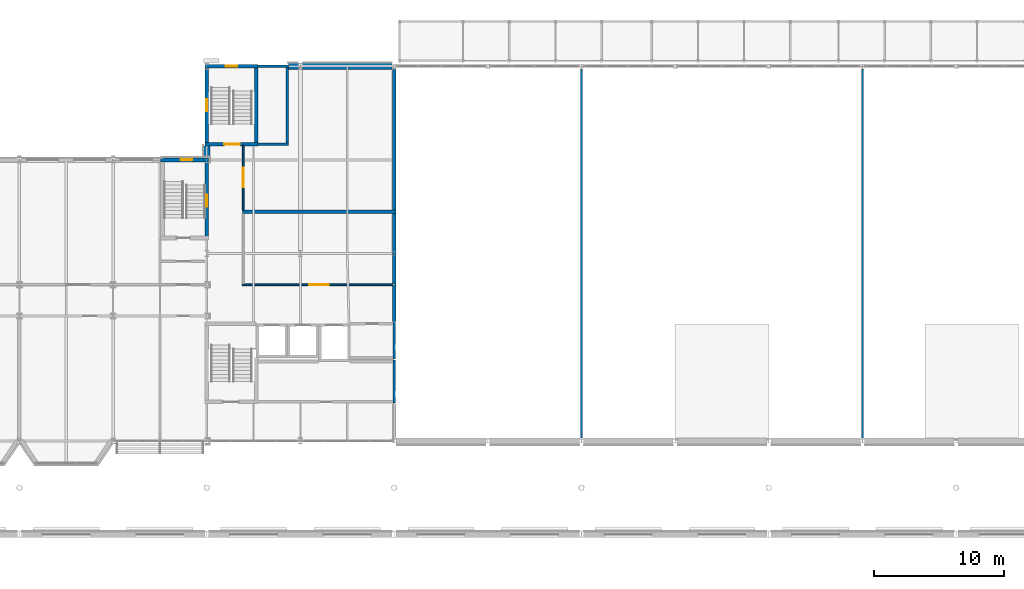
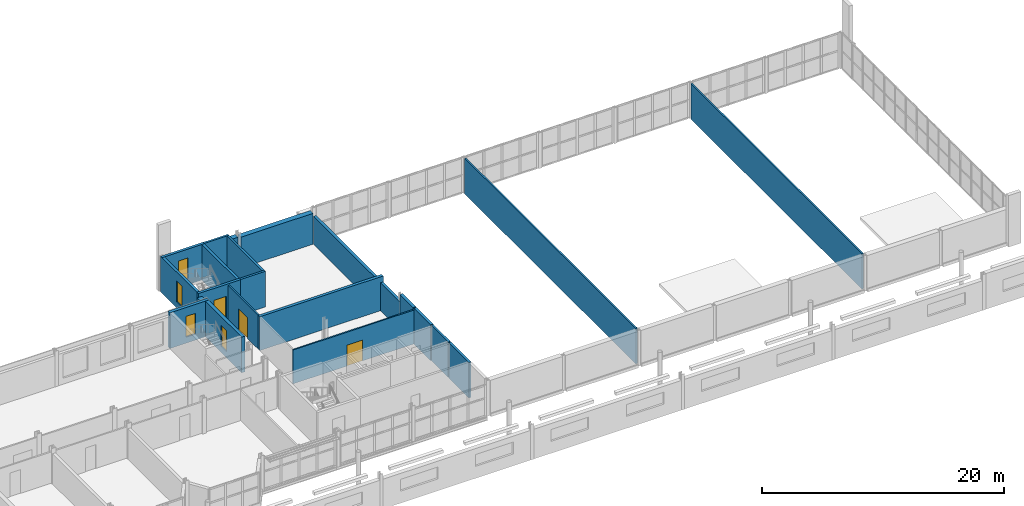
# One storey, part 79 of 124: 23 walls, 4 windows, 3 doors, 7 openings.
"""IFC4 building model written with IfcOpenShell, lengths in metres."""

import ifcopenshell
import ifcopenshell.guid

model = None  # the IFC model being written
_history = None  # IfcOwnerHistory: only IFC2X3 demands one
_inside = {}  # id of a spatial element -> (the spatial element, [elements in it])
_under = {}  # id of a project, library or spatial element -> (it, [spatial elements below it])
_declared = {}  # id of a project -> (the project, [libraries it declares])
_typed = {}  # id of a type object -> (the type object, [elements of that type])
_made_of = {}  # id of a material, layer set ... -> (it, [elements and type objects made of it])


def new_model(schema):
    """Start an empty IFC model of exactly this schema.

    Asked for "IFC4X3", IfcOpenShell would pick the latest addendum, in which some entities
    have other attributes; the version numbers below select the first issue.
    IFC2X3 requires an IfcOwnerHistory on every rooted entity: one is made here for all.
    """
    global model, _history
    if schema == "IFC4X3":
        model = ifcopenshell.file(schema_version=(4, 3, 0, 0))
    else:
        model = ifcopenshell.file(schema=schema)
    _inside.clear()
    _under.clear()
    _declared.clear()
    _typed.clear()
    _made_of.clear()
    _history = None
    if model.schema == "IFC2X3":
        org = make("IfcOrganization", Name="unknown")
        user = make(
            "IfcPersonAndOrganization",
            ThePerson=make("IfcPerson", FamilyName="unknown"),
            TheOrganization=org,
        )
        app = make(
            "IfcApplication",
            ApplicationDeveloper=org,
            Version="unknown",
            ApplicationFullName="unknown",
            ApplicationIdentifier="unknown",
        )
        _history = make(
            "IfcOwnerHistory",
            OwningUser=user,
            OwningApplication=app,
            ChangeAction="ADDED",
            CreationDate=0,
        )
    return model


def make(cls, **values):
    """One entity of the class cls with the attributes given. An attribute that is None is left unset."""
    return model.create_entity(
        cls, **{name: value for name, value in values.items() if value is not None}
    )


def rooted(cls, **values):
    """An entity with a GlobalId (a new one), such as an element, a storey or a relation."""
    return make(cls, GlobalId=ifcopenshell.guid.new(), OwnerHistory=_history, **values)


def si_unit(unit_type, name, prefix=None):
    """IfcSIUnit, for example si_unit("LENGTHUNIT", "METRE", prefix="MILLI")."""
    return make("IfcSIUnit", UnitType=unit_type, Prefix=prefix, Name=name)


def assignment(units):
    """IfcUnitAssignment: the units of a project."""
    return None if units is None else make("IfcUnitAssignment", Units=units)


def point(xyz):
    """IfcCartesianPoint."""
    return None if xyz is None else make("IfcCartesianPoint", Coordinates=xyz)


def direction(xyz):
    """IfcDirection."""
    return None if xyz is None else make("IfcDirection", DirectionRatios=xyz)


def frame(location, z_axis=None, x_axis=None):
    """IfcAxis2Placement3D, a coordinate frame: its origin and axes. An axis left out is left unset."""
    return make(
        "IfcAxis2Placement3D",
        Location=point(location),
        Axis=direction(z_axis),
        RefDirection=direction(x_axis),
    )


def frame_2d(location, x_axis=None):
    """IfcAxis2Placement2D, a coordinate frame in the plane: its origin and x axis."""
    return make(
        "IfcAxis2Placement2D", Location=point(location), RefDirection=direction(x_axis)
    )


def origin():
    """The frame at (0, 0, 0) with its axes left unset."""
    return frame((0.0, 0.0, 0.0))


def place(relative_to, where):
    """IfcLocalPlacement: puts the frame where relative to a parent placement (None: the world)."""
    return make(
        "IfcLocalPlacement", PlacementRelTo=relative_to, RelativePlacement=where
    )


def context(
    kind, dimensions, precision=None, world=None, true_north=None, identifier=None
):
    """IfcGeometricRepresentationContext, for example the 3D "Model" context."""
    return make(
        "IfcGeometricRepresentationContext",
        ContextIdentifier=identifier,
        ContextType=kind,
        CoordinateSpaceDimension=dimensions,
        Precision=precision,
        WorldCoordinateSystem=world,
        TrueNorth=true_north,
    )


def subcontext(parent, identifier, kind, view, scale=None):
    """IfcGeometricRepresentationSubContext, for example "Body" below "Model"."""
    return make(
        "IfcGeometricRepresentationSubContext",
        ContextIdentifier=identifier,
        ContextType=kind,
        ParentContext=parent,
        TargetScale=scale,
        TargetView=view,
    )


def project(units=None, contexts=None):
    """IfcProject with its units and contexts."""
    return rooted(
        "IfcProject",
        Name="project",
        RepresentationContexts=contexts,
        UnitsInContext=assignment(units),
    )


def spatial(cls, under=None, at=None, **own):
    """A site, building, storey or space (cls), placed at a placement, below another one or the project."""
    s = rooted(cls, ObjectPlacement=at, **own)
    if under is not None:
        _under.setdefault(under.id(), (under, []))[1].append(s)
    return s


def profile(cls, at=None, kind="AREA", **sizes):
    """A parametric profile (cls). Its sizes go by their IFC names, for example OverallWidth=200.0."""
    return make(cls, ProfileType=kind, Position=at, **sizes)


def rectangle(**sizes):
    """IfcRectangleProfileDef."""
    return profile("IfcRectangleProfileDef", **sizes)


def extrude(swept, where, along, depth):
    """IfcExtrudedAreaSolid: the profile swept, set in the frame where, extruded along a direction by depth."""
    return make(
        "IfcExtrudedAreaSolid",
        SweptArea=swept,
        Position=where,
        ExtrudedDirection=direction(along),
        Depth=depth,
    )


def shape(context_of_items, identifier, shape_type, items):
    """IfcShapeRepresentation: the items that make up one representation, for example the "Body"."""
    return make(
        "IfcShapeRepresentation",
        ContextOfItems=context_of_items,
        RepresentationIdentifier=identifier,
        RepresentationType=shape_type,
        Items=items,
    )


def material(Name=None, Category=None):
    """IfcMaterial."""
    return make("IfcMaterial", Name=Name, Category=Category)


def layer(
    of_material, thickness, ventilated=None, Name=None, Category=None, Priority=None
):
    """IfcMaterialLayer: one layer of a wall or slab, of a material (None: an air gap)."""
    return make(
        "IfcMaterialLayer",
        Material=of_material,
        LayerThickness=thickness,
        IsVentilated=ventilated,
        Name=Name,
        Category=Category,
        Priority=Priority,
    )


def layer_set(layers, Name=None):
    """IfcMaterialLayerSet."""
    return make("IfcMaterialLayerSet", MaterialLayers=layers, LayerSetName=Name)


def made_of(thing, what):
    """Note that an element or type object is made of a material, layer set ...; save() writes the relation."""
    if what is not None:
        _made_of.setdefault(what.id(), (what, []))[1].append(thing)
    return thing


def type_object(cls, material=None, **own):
    """A type object (cls), such as IfcWallType, which elements share."""
    return made_of(rooted(cls, **own), material)


def element(
    cls,
    number,
    at=None,
    inside=None,
    cuts=None,
    type_object=None,
    material=None,
    context=None,
    identifier="Body",
    shape_type=None,
    held_by="IfcProductDefinitionShape",
    body=None,
    shapes=None,
    **own,
):
    """One element of the class cls, such as IfcWall. Its Tag is "e" and its number.

    at: its placement. inside: the storey or other place that contains it. cuts: it is an
    opening in that element (IfcRelVoidsElement). A single representation is given by context,
    identifier, shape_type and body (its items); several are given by shapes. held_by: the class
    of the entity that holds the representations. save() writes the other relations.
    """
    e = rooted(cls, Tag="e%d" % number, ObjectPlacement=at, **own)
    if body is not None:
        shapes = [shape(context, identifier, shape_type, body)]
    if shapes is not None:
        e.Representation = make(held_by, Representations=shapes)
    if inside is not None:
        _inside.setdefault(inside.id(), (inside, []))[1].append(e)
    if cuts is not None:
        rooted(
            "IfcRelVoidsElement", RelatingBuildingElement=cuts, RelatedOpeningElement=e
        )
    if type_object is not None:
        _typed.setdefault(type_object.id(), (type_object, []))[1].append(e)
    return made_of(e, material)


def fill(opening, filler):
    """IfcRelFillsElement: the door or window that sits in an opening."""
    return rooted(
        "IfcRelFillsElement",
        RelatingOpeningElement=opening,
        RelatedBuildingElement=filler,
    )


def aggregate(whole, parts):
    """IfcRelAggregates: a whole, such as a stair, and the parts it consists of."""
    return rooted("IfcRelAggregates", RelatingObject=whole, RelatedObjects=parts)


def save(model, path):
    """Write the relations noted so far, then the file.

    IfcRelAggregates (storeys below a building ...), IfcRelContainedInSpatialStructure (elements
    in a storey), IfcRelDefinesByType, IfcRelAssociatesMaterial and IfcRelDeclares: one each for
    every whole, place, type object, material and project.
    """
    for whole, parts in _under.values():
        aggregate(whole, parts)
    for where, things in _inside.values():
        rooted(
            "IfcRelContainedInSpatialStructure",
            RelatedElements=things,
            RelatingStructure=where,
        )
    for kind, things in _typed.values():
        rooted("IfcRelDefinesByType", RelatedObjects=things, RelatingType=kind)
    for what, things in _made_of.values():
        rooted("IfcRelAssociatesMaterial", RelatedObjects=things, RelatingMaterial=what)
    for by, libraries in _declared.values():
        rooted("IfcRelDeclares", RelatingContext=by, RelatedDefinitions=libraries)
    model.write(path)


model = new_model("IFC4")

# Units and contexts
model_context = context("Model", 3, precision=1e-05, world=origin(), true_north=direction((0.0, 1.0)))
body_context = subcontext(model_context, "Body", "Model", "MODEL_VIEW")
ifc_project = project(units=[si_unit("LENGTHUNIT", "METRE"), si_unit("AREAUNIT", "SQUARE_METRE"), si_unit("VOLUMEUNIT", "CUBIC_METRE"), si_unit("PLANEANGLEUNIT", "RADIAN"), si_unit("MASSUNIT", "GRAM", prefix="KILO")], contexts=[model_context])

# Site, building, storey
site_placement = place(None, origin())
site = spatial("IfcSite", under=ifc_project, at=site_placement, CompositionType="ELEMENT")
building_placement = place(site_placement, origin())
building = spatial("IfcBuilding", under=site, at=building_placement, Name="Kupolbacken Congress Centre", CompositionType="ELEMENT")
storey_placement = place(building_placement, frame((0.0, 0.0, 10.800048828125)))
storey = spatial("IfcBuildingStorey", under=building, at=storey_placement, Name="L03", CompositionType="ELEMENT", Elevation=10.800048828125)

# Walls
ifc_material_1 = material(Name="Limestone", Category="masonry")
ifc_layer_1 = layer(ifc_material_1, 0.14990234375)
ifc_material_2 = material(Name="Air cavity", Category="air")
ifc_layer_2 = layer(ifc_material_2, 0.0400390625, ventilated=True)
ifc_material_3 = material(Name="Mineral wool", Category="insulation")
ifc_layer_3 = layer(ifc_material_3, 0.169921875)
ifc_material_4 = material(Name="Concrete block", Category="masonry")
ifc_layer_4 = layer(ifc_material_4, 0.1201171875)
ifc_layer_set_1 = layer_set([ifc_layer_1, ifc_layer_2, ifc_layer_3, ifc_layer_4], Name="Limestone / Mineral wool / Concrete block")
wall_type_1 = type_object("IfcWallType", Name="EW07 external cavity wall 480", PredefinedType="SOLIDWALL", material=ifc_layer_set_1)
wall_1_placement = place(storey_placement, frame((151.050048828125, 151.199951171875, 0.0), z_axis=(0.0, 0.0, 1.0), x_axis=(-1.0, 0.0, 0.0)))
element("IfcWall", 1, at=wall_1_placement, inside=storey, type_object=wall_type_1, Name="E/BF/N/L03/315", PredefinedType="SOLIDWALL", context=body_context, shape_type="SweptSolid", body=[
    extrude(rectangle(XDim=6.900146484375, YDim=0.47998046875, at=frame_2d((3.4501953125, 0.0))), origin(), (0.0, 0.0, 1.0), 3.119873046875),
])
wall_2_placement = place(storey_placement, frame((143.85009765625, 151.199951171875, 0.0), z_axis=(0.0, 0.0, 1.0), x_axis=(-1.0, 0.0, 0.0)))
element("IfcWall", 2, at=wall_2_placement, inside=storey, type_object=wall_type_1, Name="E/BF/N/L03/316", PredefinedType="SOLIDWALL", context=body_context, shape_type="SweptSolid", body=[
    extrude(rectangle(XDim=0.75, YDim=0.47998046875, at=frame_2d((0.375, 0.0))), origin(), (0.0, 0.0, 1.0), 3.219970703125),
])
wall_3_placement = place(storey_placement, frame((136.800048828125, 145.074951171875, 0.0), z_axis=(0.0, 0.0, 1.0), x_axis=(0.0, -1.0, 0.0)))
element("IfcWall", 3, at=wall_3_placement, inside=storey, type_object=wall_type_1, Name="E/BF/W/L03/322", PredefinedType="SOLIDWALL", context=body_context, shape_type="SweptSolid", body=[
    extrude(rectangle(XDim=0.849853515625, YDim=0.47998046875, at=frame_2d((0.4248046875, 0.0))), origin(), (0.0, 0.0, 1.0), 3.219970703125),
])
ifc_material_5 = material(Name="Operable acoustic wall panels", Category="metal")
ifc_layer_5 = layer(ifc_material_5, 0.14501953125)
ifc_layer_set_2 = layer_set([ifc_layer_5], Name="Operable acoustic wall panels")
wall_type_2 = type_object("IfcWallType", Name="MP3 movable partition 145", PredefinedType="MOVABLE", material=ifc_layer_set_2)
for number, where, z_axis, x_axis, name in (
    (4, (165.60009765625, 122.639892578125, 0.0), (0.0, 0.0, 1.0), (0.0, 1.0, 0.0), "PD/L03/MP/166"),
    (5, (187.199951171875, 122.639892578125, 0.0), (0.0, 0.0, 1.0), (0.0, 1.0, 0.0), "PD/L03/MP/187"),
):
    element("IfcWall", number, at=place(storey_placement, frame(where, z_axis=z_axis, x_axis=x_axis)), inside=storey, type_object=wall_type_2, Name=name, PredefinedType="MOVABLE", context=body_context, shape_type="SweptSolid", body=[
        extrude(rectangle(XDim=28.320068359375, YDim=0.14501953125, at=frame_2d((14.16015625, 0.0))), origin(), (0.0, 0.0, 1.0), 3.599853515625),
    ])

# Wall, opening, door
ifc_material_6 = material(Name="Gypsum board", Category="drywall")
ifc_layer_6 = layer(ifc_material_6, 0.135009765625)
ifc_layer_set_3 = layer_set([ifc_layer_6], Name="Gypsum board")
wall_type_3 = type_object("IfcWallType", Name="P06 compartment wall 135", PredefinedType="PARTITIONING", material=ifc_layer_set_3)
wall_4_placement = place(storey_placement, frame((139.532470703125, 134.39990234375, 0.0), z_axis=(0.0, 0.0, 1.0), x_axis=(1.0, 0.0, 0.0)))
wall_4 = element("IfcWall", 6, at=wall_4_placement, inside=storey, type_object=wall_type_3, Name="PD/L03/W116", PredefinedType="PARTITIONING", context=body_context, shape_type="SweptSolid", body=[
    extrude(rectangle(XDim=11.804931640625, YDim=0.135009765625, at=frame_2d((5.90234375, 0.0))), origin(), (0.0, 0.0, 1.0), 3.419921875),
])
opening_1_placement = place(wall_4_placement, frame((5.14990234375, 0.0, 0.0)))
opening_1 = element("IfcOpeningElement", 7, at=opening_1_placement, cuts=wall_4, Name="Opening 3.G05", PredefinedType="OPENING", context=body_context, shape_type="SweptSolid", body=[
    extrude(rectangle(XDim=1.5, YDim=2.10009765625, at=frame_2d((0.75, 1.050048828125))), frame((0.0, 0.077392578125, 0.0), z_axis=(0.0, -1.0, 0.0), x_axis=(1.0, 0.0, 0.0)), (0.0, 0.0, 1.0), 0.155029296875),
])
ifc_material_7 = material(Name="Steel fire door leaf", Category="steel")
door_type_1 = type_object("IfcDoorType", Name="D12 fire door 1500x2100", OperationType="DOUBLE_DOOR_SINGLE_SWING", PredefinedType="DOOR", material=ifc_material_7)
door_1_placement = place(opening_1_placement, frame((1.5, 0.0, 0.0), z_axis=(0.0, 0.0, 1.0), x_axis=(-1.0, 0.0, 0.0)))
door_1 = element("IfcDoor", 8, at=door_1_placement, inside=storey, type_object=door_type_1, Name="PD/L03/W116/D3G05", OperationType="DOUBLE_DOOR_SINGLE_SWING", OverallHeight=2.10009765625, OverallWidth=1.5, PredefinedType="DOOR", context=body_context, shape_type="SweptSolid", body=[
    extrude(rectangle(XDim=1.5, YDim=2.10009765625, at=frame_2d((0.75, 1.050048828125))), frame((0.0, 0.02490234375, 0.0), z_axis=(0.0, -1.0, 0.0), x_axis=(1.0, 0.0, 0.0)), (0.0, 0.0, 1.0), 0.050048828125),
])
fill(opening_1, door_1)

wall_5_placement = place(storey_placement, frame((139.60009765625, 145.139892578125, 0.0), z_axis=(0.0, 0.0, 1.0), x_axis=(0.0, -1.0, 0.0)))
wall_5 = element("IfcWall", 9, at=wall_5_placement, inside=storey, type_object=wall_type_3, Name="PD/L03/W119", PredefinedType="PARTITIONING", context=body_context, shape_type="SweptSolid", body=[
    extrude(rectangle(XDim=5.00244140625, YDim=0.135009765625, at=frame_2d((2.501220703125, 0.0))), origin(), (0.0, 0.0, 1.0), 3.419921875),
])
opening_2_placement = place(wall_5_placement, frame((1.75, 0.0, 0.0)))
opening_2 = element("IfcOpeningElement", 10, at=opening_2_placement, cuts=wall_5, Name="Opening 3.G06", PredefinedType="OPENING", context=body_context, shape_type="SweptSolid", body=[
    extrude(rectangle(XDim=1.5, YDim=2.10009765625, at=frame_2d((0.75, 1.050048828125))), frame((0.0, 0.077392578125, 0.0), z_axis=(0.0, -1.0, 0.0), x_axis=(1.0, 0.0, 0.0)), (0.0, 0.0, 1.0), 0.155029296875),
])
door_2_placement = place(opening_2_placement, frame((1.5, 0.0, 0.0), z_axis=(0.0, 0.0, 1.0), x_axis=(-1.0, 0.0, 0.0)))
door_2 = element("IfcDoor", 11, at=door_2_placement, inside=storey, type_object=door_type_1, Name="PD/L03/W119/D3G06", OperationType="DOUBLE_DOOR_SINGLE_SWING", OverallHeight=2.10009765625, OverallWidth=1.5, PredefinedType="DOOR", context=body_context, shape_type="SweptSolid", body=[
    extrude(rectangle(XDim=1.5, YDim=2.10009765625, at=frame_2d((0.75, 1.050048828125))), frame((0.0, 0.02490234375, 0.0), z_axis=(0.0, -1.0, 0.0), x_axis=(1.0, 0.0, 0.0)), (0.0, 0.0, 1.0), 0.050048828125),
])
fill(opening_2, door_2)

# Walls
ifc_material_8 = material(Name="Gypsum board", Category="drywall")
ifc_layer_7 = layer(ifc_material_8, 0.27490234375)
ifc_layer_set_4 = layer_set([ifc_layer_7], Name="Gypsum board")
wall_type_4 = type_object("IfcWallType", Name="P12 partition 275", PredefinedType="PARTITIONING", material=ifc_layer_set_4)
wall_6_placement = place(storey_placement, frame((151.199951171875, 134.33251953125, 0.0), z_axis=(0.0, 0.0, 1.0), x_axis=(0.0, -1.0, 0.0)))
element("IfcWall", 12, at=wall_6_placement, inside=storey, type_object=wall_type_4, Name="PD/L03/W117", PredefinedType="PARTITIONING", context=body_context, shape_type="SweptSolid", body=[
    extrude(rectangle(XDim=2.7724609375, YDim=0.27490234375, at=frame_2d((1.38623046875, 0.0))), origin(), (0.0, 0.0, 1.0), 3.599853515625),
])
wall_7_placement = place(storey_placement, frame((139.532470703125, 140.0, 0.0), z_axis=(0.0, 0.0, 1.0), x_axis=(1.0, 0.0, 0.0)))
element("IfcWall", 13, at=wall_7_placement, inside=storey, type_object=wall_type_4, Name="PD/L03/W120", PredefinedType="PARTITIONING", context=body_context, shape_type="SweptSolid", body=[
    extrude(rectangle(XDim=11.804931640625, YDim=0.27490234375, at=frame_2d((5.90234375, 0.0))), origin(), (0.0, 0.0, 1.0), 3.419921875),
])
wall_8_placement = place(storey_placement, frame((151.199951171875, 139.862548828125, 0.0), z_axis=(0.0, 0.0, 1.0), x_axis=(0.0, -1.0, 0.0)))
element("IfcWall", 14, at=wall_8_placement, inside=storey, type_object=wall_type_4, Name="PD/L03/W121", PredefinedType="PARTITIONING", context=body_context, shape_type="SweptSolid", body=[
    extrude(rectangle(XDim=3.212646484375, YDim=0.27490234375, at=frame_2d((1.6064453125, 0.0))), origin(), (0.0, 0.0, 1.0), 2.820068359375),
])
wall_9_placement = place(storey_placement, frame((151.199951171875, 150.9599609375, 0.0), z_axis=(0.0, 0.0, 1.0), x_axis=(0.0, -1.0, 0.0)))
element("IfcWall", 15, at=wall_9_placement, inside=storey, type_object=wall_type_4, Name="PD/L03/W122", PredefinedType="PARTITIONING", context=body_context, shape_type="SweptSolid", body=[
    extrude(rectangle(XDim=10.822509765625, YDim=0.27490234375, at=frame_2d((5.4111328125, 0.0))), origin(), (0.0, 0.0, 1.0), 2.820068359375),
])
wall_10_placement = place(storey_placement, frame((151.199951171875, 136.64990234375, 0.0), z_axis=(0.0, 0.0, 1.0), x_axis=(0.0, -1.0, 0.0)))
element("IfcWall", 16, at=wall_10_placement, inside=storey, type_object=wall_type_4, Name="PD/L03/W121.h1", PredefinedType="PARTITIONING", context=body_context, shape_type="SweptSolid", body=[
    extrude(rectangle(XDim=2.182373046875, YDim=0.27490234375, at=frame_2d((1.09130859375, 0.0))), origin(), (0.0, 0.0, 1.0), 3.599853515625),
])
ifc_material_9 = material(Name="Concrete C40/50", Category="concrete")
ifc_layer_8 = layer(ifc_material_9, 0.199951171875)
ifc_layer_set_5 = layer_set([ifc_layer_8], Name="Concrete C40/50")
wall_type_5 = type_object("IfcWallType", Name="WC1 RC shaft wall 200", PredefinedType="SHEAR", material=ifc_layer_set_5)
wall_11_placement = place(storey_placement, frame((151.199951171875, 125.300048828125, 0.0), z_axis=(0.0, 0.0, 1.0), x_axis=(0.0, 1.0, 0.0)))
element("IfcWall", 17, at=wall_11_placement, inside=storey, type_object=wall_type_5, Name="Shaft wall L03-085", PredefinedType="SHEAR", context=body_context, shape_type="SweptSolid", body=[
    extrude(rectangle(XDim=3.300048828125, YDim=0.199951171875, at=frame_2d((1.64990234375, 0.0))), origin(), (0.0, 0.0, 1.0), 3.599853515625),
])
wall_12_placement = place(storey_placement, frame((151.199951171875, 128.699951171875, 0.0), z_axis=(0.0, 0.0, 1.0), x_axis=(0.0, 1.0, 0.0)))
element("IfcWall", 18, at=wall_12_placement, inside=storey, type_object=wall_type_5, Name="Shaft wall L03-099", PredefinedType="SHEAR", context=body_context, shape_type="SweptSolid", body=[
    extrude(rectangle(XDim=2.800048828125, YDim=0.199951171875, at=frame_2d((1.39990234375, 0.0))), origin(), (0.0, 0.0, 1.0), 3.599853515625),
])
wall_13_placement = place(storey_placement, frame((140.72509765625, 145.199951171875, 0.0), z_axis=(0.0, 0.0, 1.0), x_axis=(1.0, 0.0, 0.0)))
element("IfcWall", 19, at=wall_13_placement, inside=storey, type_object=wall_type_5, Name="Shaft wall L03-133", PredefinedType="SHEAR", context=body_context, shape_type="SweptSolid", body=[
    extrude(rectangle(XDim=2.375, YDim=0.199951171875, at=frame_2d((1.1875, 0.0))), origin(), (0.0, 0.0, 1.0), 3.599853515625),
])
wall_14_placement = place(storey_placement, frame((143.0, 145.10009765625, 0.0), z_axis=(0.0, 0.0, 1.0), x_axis=(0.0, 1.0, 0.0)))
element("IfcWall", 20, at=wall_14_placement, inside=storey, type_object=wall_type_5, Name="Shaft wall L03-135", PredefinedType="SHEAR", context=body_context, shape_type="SweptSolid", body=[
    extrude(rectangle(XDim=6.199951171875, YDim=0.199951171875, at=frame_2d((3.10009765625, 0.0))), origin(), (0.0, 0.0, 1.0), 3.599853515625),
])
wall_15_placement = place(storey_placement, frame((143.10009765625, 151.199951171875, 0.0), z_axis=(0.0, 0.0, 1.0), x_axis=(-1.0, 0.0, 0.0)))
element("IfcWall", 21, at=wall_15_placement, inside=storey, type_object=wall_type_5, Name="Shaft wall L03-138", PredefinedType="SHEAR", context=body_context, shape_type="SweptSolid", body=[
    extrude(rectangle(XDim=2.375, YDim=0.199951171875, at=frame_2d((1.1875, 0.0))), origin(), (0.0, 0.0, 1.0), 3.599853515625),
])

# Wall, opening, door
ifc_material_10 = material(Name="Concrete C40/50", Category="concrete")
ifc_layer_9 = layer(ifc_material_10, 0.25)
ifc_layer_set_6 = layer_set([ifc_layer_9], Name="Concrete C40/50")
wall_type_6 = type_object("IfcWallType", Name="WC2 RC stair enclosure wall 250", PredefinedType="SHEAR", material=ifc_layer_set_6)
wall_16_placement = place(storey_placement, frame((136.675048828125, 145.199951171875, 0.0), z_axis=(0.0, 0.0, 1.0), x_axis=(1.0, 0.0, 0.0)))
wall_16 = element("IfcWall", 22, at=wall_16_placement, inside=storey, type_object=wall_type_6, Name="Stair enclosure wall L03-132", PredefinedType="SHEAR", context=body_context, shape_type="SweptSolid", body=[
    extrude(rectangle(XDim=4.050048828125, YDim=0.25, at=frame_2d((2.02490234375, 0.0))), origin(), (0.0, 0.0, 1.0), 3.599853515625),
])
opening_3_placement = place(wall_16_placement, frame((1.47509765625, 0.0, 0.0)))
opening_3 = element("IfcOpeningElement", 23, at=opening_3_placement, cuts=wall_16, Name="Opening 3.G04", PredefinedType="OPENING", context=body_context, shape_type="SweptSolid", body=[
    extrude(rectangle(XDim=1.199951171875, YDim=2.39990234375, at=frame_2d((0.60009765625, 1.199951171875))), frame((0.0, 0.135009765625, 0.0), z_axis=(0.0, -1.0, 0.0), x_axis=(1.0, 0.0, 0.0)), (0.0, 0.0, 1.0), 0.27001953125),
])
ifc_material_11 = material(Name="Steel fire door leaf", Category="steel")
door_type_2 = type_object("IfcDoorType", Name="D9 fire door 1200x2400", OperationType="SINGLE_SWING_LEFT", PredefinedType="DOOR", material=ifc_material_11)
door_3_placement = place(opening_3_placement, origin())
door_3 = element("IfcDoor", 24, at=door_3_placement, inside=storey, type_object=door_type_2, Name="S/core/L03/132/D3G04", OperationType="SINGLE_SWING_LEFT", OverallHeight=2.39990234375, OverallWidth=1.199951171875, PredefinedType="DOOR", context=body_context, shape_type="SweptSolid", body=[
    extrude(rectangle(XDim=1.199951171875, YDim=2.39990234375, at=frame_2d((0.60009765625, 1.199951171875))), frame((0.0, 0.02490234375, 0.0), z_axis=(0.0, -1.0, 0.0), x_axis=(1.0, 0.0, 0.0)), (0.0, 0.0, 1.0), 0.050048828125),
])
fill(opening_3, door_3)

# Wall
wall_17_placement = place(storey_placement, frame((140.60009765625, 145.074951171875, 0.0), z_axis=(0.0, 0.0, 1.0), x_axis=(0.0, 1.0, 0.0)))
element("IfcWall", 25, at=wall_17_placement, inside=storey, type_object=wall_type_6, Name="Stair enclosure wall L03-134", PredefinedType="SHEAR", context=body_context, shape_type="SweptSolid", body=[
    extrude(rectangle(XDim=6.25, YDim=0.25, at=frame_2d((3.125, 0.0))), origin(), (0.0, 0.0, 1.0), 3.599853515625),
])

# Wall, opening, window
wall_18_placement = place(storey_placement, frame((136.800048828125, 151.324951171875, 0.0), z_axis=(0.0, 0.0, 1.0), x_axis=(0.0, -1.0, 0.0)))
wall_18 = element("IfcWall", 26, at=wall_18_placement, inside=storey, type_object=wall_type_6, Name="Stair enclosure wall L03-136", PredefinedType="SHEAR", context=body_context, shape_type="SweptSolid", body=[
    extrude(rectangle(XDim=6.25, YDim=0.25, at=frame_2d((3.125, 0.0))), origin(), (0.0, 0.0, 1.0), 3.599853515625),
])
opening_4_placement = place(wall_18_placement, frame((2.675048828125, 0.0, 0.60009765625)))
opening_4 = element("IfcOpeningElement", 27, at=opening_4_placement, cuts=wall_18, Name="Opening W28", PredefinedType="OPENING", context=body_context, shape_type="SweptSolid", body=[
    extrude(rectangle(XDim=0.89990234375, YDim=2.10009765625, at=frame_2d((0.449951171875, 1.050048828125))), frame((0.0, 0.135009765625, 0.0), z_axis=(0.0, -1.0, 0.0), x_axis=(1.0, 0.0, 0.0)), (0.0, 0.0, 1.0), 0.27001953125),
])
ifc_material_12 = material(Name="Aluminium frame with double or triple glazing", Category="aluminium")
window_type = type_object("IfcWindowType", Name="W28 window 900x2100", PartitioningType="SINGLE_PANEL", PredefinedType="WINDOW", material=ifc_material_12)
window_1_placement = place(opening_4_placement, origin())
window_1 = element("IfcWindow", 28, at=window_1_placement, inside=storey, type_object=window_type, Name="S/core/L03/136/W1/L03", OverallHeight=2.10009765625, OverallWidth=0.89990234375, PartitioningType="SINGLE_PANEL", PredefinedType="WINDOW", context=body_context, shape_type="SweptSolid", body=[
    extrude(rectangle(XDim=0.89990234375, YDim=2.10009765625, at=frame_2d((0.449951171875, 1.050048828125))), frame((0.0, 0.030029296875, 0.0), z_axis=(0.0, -1.0, 0.0), x_axis=(1.0, 0.0, 0.0)), (0.0, 0.0, 1.0), 0.06005859375),
])
fill(opening_4, window_1)

wall_19_placement = place(storey_placement, frame((140.72509765625, 151.199951171875, 0.0), z_axis=(0.0, 0.0, 1.0), x_axis=(-1.0, 0.0, 0.0)))
wall_19 = element("IfcWall", 29, at=wall_19_placement, inside=storey, type_object=wall_type_6, Name="Stair enclosure wall L03-137", PredefinedType="SHEAR", context=body_context, shape_type="SweptSolid", body=[
    extrude(rectangle(XDim=4.050048828125, YDim=0.25, at=frame_2d((2.02490234375, 0.0))), origin(), (0.0, 0.0, 1.0), 3.599853515625),
])
opening_5_placement = place(wall_19_placement, frame((1.574951171875, 0.0, 0.60009765625)))
opening_5 = element("IfcOpeningElement", 30, at=opening_5_placement, cuts=wall_19, Name="Opening W28", PredefinedType="OPENING", context=body_context, shape_type="SweptSolid", body=[
    extrude(rectangle(XDim=0.89990234375, YDim=2.10009765625, at=frame_2d((0.449951171875, 1.050048828125))), frame((0.0, 0.135009765625, 0.0), z_axis=(0.0, -1.0, 0.0), x_axis=(1.0, 0.0, 0.0)), (0.0, 0.0, 1.0), 0.27001953125),
])
window_2_placement = place(opening_5_placement, origin())
window_2 = element("IfcWindow", 31, at=window_2_placement, inside=storey, type_object=window_type, Name="S/core/L03/137/W1/L03", OverallHeight=2.10009765625, OverallWidth=0.89990234375, PartitioningType="SINGLE_PANEL", PredefinedType="WINDOW", context=body_context, shape_type="SweptSolid", body=[
    extrude(rectangle(XDim=0.89990234375, YDim=2.10009765625, at=frame_2d((0.449951171875, 1.050048828125))), frame((0.0, 0.030029296875, 0.0), z_axis=(0.0, -1.0, 0.0), x_axis=(1.0, 0.0, 0.0)), (0.0, 0.0, 1.0), 0.06005859375),
])
fill(opening_5, window_2)

ifc_material_13 = material(Name="Concrete C40/50", Category="concrete")
ifc_layer_10 = layer(ifc_material_13, 0.300048828125)
ifc_layer_set_7 = layer_set([ifc_layer_10], Name="Concrete C40/50")
wall_type_7 = type_object("IfcWallType", Name="WC3 RC core wall 300", PredefinedType="SHEAR", material=ifc_layer_set_7)
wall_20_placement = place(storey_placement, frame((136.800048828125, 137.85009765625, 0.0), z_axis=(0.0, 0.0, 1.0), x_axis=(0.0, 1.0, 0.0)))
wall_20 = element("IfcWall", 32, at=wall_20_placement, inside=storey, type_object=wall_type_7, Name="Core wall L03-123", PredefinedType="SHEAR", context=body_context, shape_type="SweptSolid", body=[
    extrude(rectangle(XDim=6.2998046875, YDim=0.300048828125, at=frame_2d((3.14990234375, 0.0))), origin(), (0.0, 0.0, 1.0), 3.599853515625),
])
opening_6_placement = place(wall_20_placement, frame((2.550048828125, 0.0, 0.60009765625)))
opening_6 = element("IfcOpeningElement", 33, at=opening_6_placement, cuts=wall_20, Name="Opening W28", PredefinedType="OPENING", context=body_context, shape_type="SweptSolid", body=[
    extrude(rectangle(XDim=0.89990234375, YDim=2.10009765625, at=frame_2d((0.449951171875, 1.050048828125))), frame((0.0, 0.159912109375, 0.0), z_axis=(0.0, -1.0, 0.0), x_axis=(1.0, 0.0, 0.0)), (0.0, 0.0, 1.0), 0.320068359375),
])
window_3_placement = place(opening_6_placement, origin())
window_3 = element("IfcWindow", 34, at=window_3_placement, inside=storey, type_object=window_type, Name="S/core/L03/123/WW28", OverallHeight=2.10009765625, OverallWidth=0.89990234375, PartitioningType="SINGLE_PANEL", PredefinedType="WINDOW", context=body_context, shape_type="SweptSolid", body=[
    extrude(rectangle(XDim=0.89990234375, YDim=2.10009765625, at=frame_2d((0.449951171875, 1.050048828125))), frame((0.0, 0.030029296875, 0.0), z_axis=(0.0, -1.0, 0.0), x_axis=(1.0, 0.0, 0.0)), (0.0, 0.0, 1.0), 0.06005859375),
])
fill(opening_6, window_3)

wall_21_placement = place(storey_placement, frame((136.949951171875, 144.0, 0.0), z_axis=(0.0, 0.0, 1.0), x_axis=(-1.0, 0.0, 0.0)))
wall_21 = element("IfcWall", 35, at=wall_21_placement, inside=storey, type_object=wall_type_7, Name="Core wall L03-131", PredefinedType="SHEAR", context=body_context, shape_type="SweptSolid", body=[
    extrude(rectangle(XDim=3.699951171875, YDim=0.300048828125, at=frame_2d((1.85009765625, 0.0))), origin(), (0.0, 0.0, 1.0), 3.599853515625),
])
opening_7_placement = place(wall_21_placement, frame((1.25, 0.0, 0.60009765625)))
opening_7 = element("IfcOpeningElement", 36, at=opening_7_placement, cuts=wall_21, Name="Opening W28", PredefinedType="OPENING", context=body_context, shape_type="SweptSolid", body=[
    extrude(rectangle(XDim=0.89990234375, YDim=2.10009765625, at=frame_2d((0.449951171875, 1.050048828125))), frame((0.0, 0.159912109375, 0.0), z_axis=(0.0, -1.0, 0.0), x_axis=(1.0, 0.0, 0.0)), (0.0, 0.0, 1.0), 0.320068359375),
])
window_4_placement = place(opening_7_placement, origin())
window_4 = element("IfcWindow", 37, at=window_4_placement, inside=storey, type_object=window_type, Name="S/core/L03/131/WW28", OverallHeight=2.10009765625, OverallWidth=0.89990234375, PartitioningType="SINGLE_PANEL", PredefinedType="WINDOW", context=body_context, shape_type="SweptSolid", body=[
    extrude(rectangle(XDim=0.89990234375, YDim=2.10009765625, at=frame_2d((0.449951171875, 1.050048828125))), frame((0.0, 0.030029296875, 0.0), z_axis=(0.0, -1.0, 0.0), x_axis=(1.0, 0.0, 0.0)), (0.0, 0.0, 1.0), 0.06005859375),
])
fill(opening_7, window_4)

save(model, "model.ifc")
